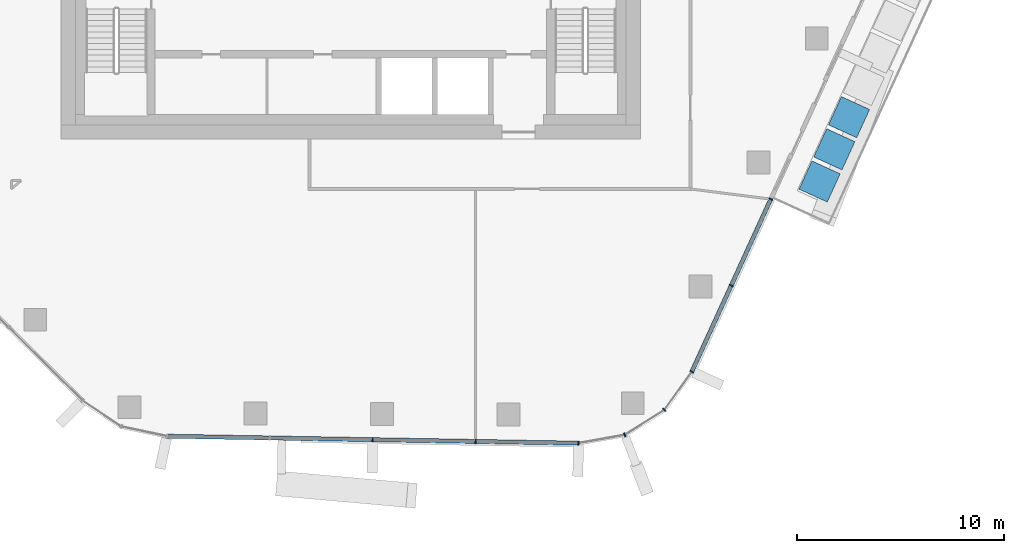
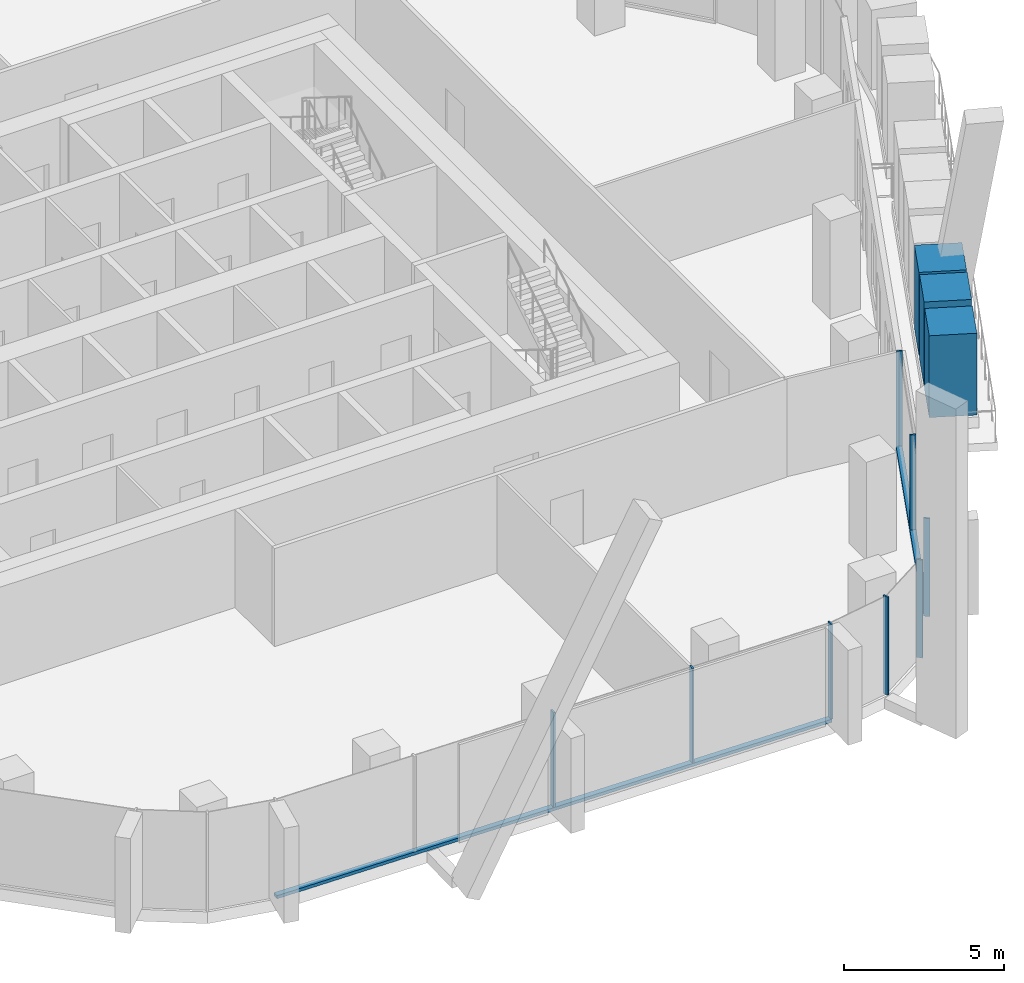
# One storey, part 3 of 20: 13 members, 3 elements without a shape of their own.
"""IFC4 building model written with IfcOpenShell, lengths in metres."""

from ifc_helpers import new_model, si_unit, direction, frame, origin, origin_2d, place, context, subcontext, project, spatial, rectangle, extrude, material, layer, layer_set, material_profile, profile_set, type_object, element, aggregate, save


model = new_model("IFC4")

# Units and contexts
model_context = context("Model", 3, precision=1e-05, world=origin(), true_north=direction((0.0, 1.0)))
body_context = subcontext(model_context, "Body", "Model", "MODEL_VIEW")
ifc_project = project(units=[si_unit("LENGTHUNIT", "METRE"), si_unit("AREAUNIT", "SQUARE_METRE"), si_unit("VOLUMEUNIT", "CUBIC_METRE"), si_unit("PLANEANGLEUNIT", "RADIAN"), si_unit("MASSUNIT", "GRAM", prefix="KILO")], contexts=[model_context])

# Site, building, storey
site_placement = place(None, origin())
site = spatial("IfcSite", under=ifc_project, at=site_placement, CompositionType="ELEMENT")
building_placement = place(site_placement, origin())
building = spatial("IfcBuilding", under=site, at=building_placement, Name="Dongbaek Canopy Tower", CompositionType="ELEMENT")
storey_placement = place(building_placement, frame((0.0, 0.0, 228.60009765625)))
storey = spatial("IfcBuildingStorey", under=building, at=storey_placement, Name="L47", CompositionType="ELEMENT", Elevation=228.60009765625)

# Curtain wall, members
ifc_material_1 = material(Name="Aluminium 6063-T6 pale anodised", Category="aluminium")
ifc_layer = layer(ifc_material_1, 0.199951171875)
ifc_layer_set = layer_set([ifc_layer], Name="CW-1 unitised tower curtain wall")
curtain_wall_type = type_object("IfcCurtainWallType", Name="CW-1 unitised tower curtain wall", PredefinedType="NOTDEFINED", material=ifc_layer_set)
curtain_wall_1_placement = place(storey_placement, origin())
curtain_wall_1 = element("IfcCurtainWall", 1, at=curtain_wall_1_placement, inside=storey, type_object=curtain_wall_type, Name="CW-1 curtain wall F4.1", PredefinedType="NOTDEFINED")
ifc_material_2 = material(Name="Aluminium 6063-T6 pale anodised", Category="aluminium")
ifc_material_profile_1 = material_profile(ifc_material_2, rectangle(XDim=0.199951171875, YDim=0.06005859375, at=origin_2d()), Name="CW-1 mullion 60 x 200")
ifc_profile_set_1 = profile_set([ifc_material_profile_1], Name="Aluminium 6063-T6 pale anodised")
member_type_1 = type_object("IfcMemberType", Name="CW-1 mullion 60 x 200", PredefinedType="MULLION", material=ifc_profile_set_1)
member_1_placement = place(storey_placement, frame((1.05126953125, -25.51123046875, 0.119873046875), z_axis=(0.0, 0.0, 1.0), x_axis=(-0.016993149743, -0.999855606006, 0.0)))
member_1 = element("IfcMember", 2, at=member_1_placement, type_object=member_type_1, Name="CW-1 mullion F4.1.3", PredefinedType="MULLION", context=body_context, shape_type="SweptSolid", body=[
    extrude(rectangle(XDim=0.199951171875, YDim=0.06005859375, at=origin_2d()), origin(), (0.0, 0.0, 1.0), 3.630126953125),
])
member_2_placement = place(storey_placement, frame((6.025634765625, -25.595703125, 0.119873046875), z_axis=(0.0, 0.0, 1.0), x_axis=(-0.016993149743, -0.999855606006, 0.0)))
member_2 = element("IfcMember", 3, at=member_2_placement, type_object=member_type_1, Name="CW-1 mullion F4.1.4", PredefinedType="MULLION", context=body_context, shape_type="SweptSolid", body=[
    extrude(rectangle(XDim=0.199951171875, YDim=0.06005859375, at=origin_2d()), origin(), (0.0, 0.0, 1.0), 3.630126953125),
])
member_3_placement = place(storey_placement, frame((10.990234375, -25.68017578125, 0.119873046875), z_axis=(0.0, 0.0, 1.0), x_axis=(-0.016993149743, -0.999855606006, 0.0)))
member_3 = element("IfcMember", 4, at=member_3_placement, type_object=member_type_1, Name="CW-1 mullion F4.1.5", PredefinedType="MULLION", context=body_context, shape_type="SweptSolid", body=[
    extrude(rectangle(XDim=0.199951171875, YDim=0.06005859375, at=origin_2d()), origin(), (0.0, 0.0, 1.0), 3.630126953125),
])

curtain_wall_2_placement = place(storey_placement, origin())
curtain_wall_2 = element("IfcCurtainWall", 5, at=curtain_wall_2_placement, inside=storey, type_object=curtain_wall_type, Name="CW-1 curtain wall K5.1", PredefinedType="NOTDEFINED")
member_4_placement = place(storey_placement, frame((13.228759765625, -25.28173828125, 0.0), z_axis=(0.0, 0.0, 1.0), x_axis=(0.360882644319, -0.93261123574, 0.0)))
member_4 = element("IfcMember", 6, at=member_4_placement, type_object=member_type_1, Name="CW-1 mullion K5.1.2", PredefinedType="MULLION", context=body_context, shape_type="SweptSolid", body=[
    extrude(rectangle(XDim=0.199951171875, YDim=0.06005859375, at=origin_2d()), origin(), (0.0, 0.0, 1.0), 3.75),
])
member_5_placement = place(storey_placement, frame((15.143798828125, -24.074951171875, 0.0), z_axis=(0.0, 0.0, 1.0), x_axis=(0.685596122753, -0.727982112737, 0.0)))
member_5 = element("IfcMember", 7, at=member_5_placement, type_object=member_type_1, Name="CW-1 mullion K5.1.3", PredefinedType="MULLION", context=body_context, shape_type="SweptSolid", body=[
    extrude(rectangle(XDim=0.199951171875, YDim=0.06005859375, at=origin_2d()), origin(), (0.0, 0.0, 1.0), 3.75),
])
member_6_placement = place(storey_placement, frame((16.46923828125, -22.227294921875, 0.0), z_axis=(0.0, 0.0, 1.0), x_axis=(0.812557400562, -0.582881180681, 0.0)))
member_6 = element("IfcMember", 8, at=member_6_placement, type_object=member_type_1, Name="CW-1 mullion K5.1.4", PredefinedType="MULLION", context=body_context, shape_type="SweptSolid", body=[
    extrude(rectangle(XDim=0.199951171875, YDim=0.06005859375, at=origin_2d()), origin(), (0.0, 0.0, 1.0), 3.75),
])
aggregate(curtain_wall_2, [member_4, member_5, member_6])

curtain_wall_3_placement = place(storey_placement, origin())
curtain_wall_3 = element("IfcCurtainWall", 9, at=curtain_wall_3_placement, inside=storey, type_object=curtain_wall_type, Name="CW-1 curtain wall F5.1", PredefinedType="NOTDEFINED")
member_7_placement = place(storey_placement, frame((18.374267578125, -18.064208984375, 0.119873046875), z_axis=(0.0, 0.0, 1.0), x_axis=(0.909313119282, -0.416112546196, 0.0)))
member_7 = element("IfcMember", 10, at=member_7_placement, type_object=member_type_1, Name="CW-1 mullion F5.1.2", PredefinedType="MULLION", context=body_context, shape_type="SweptSolid", body=[
    extrude(rectangle(XDim=0.199951171875, YDim=0.06005859375, at=origin_2d()), origin(), (0.0, 0.0, 1.0), 3.630126953125),
])
member_8_placement = place(storey_placement, frame((20.283447265625, -13.89208984375, 0.119873046875), z_axis=(0.0, 0.0, 1.0), x_axis=(0.909313119282, -0.416112546196, 0.0)))
member_8 = element("IfcMember", 11, at=member_8_placement, type_object=member_type_1, Name="CW-1 mullion F5.1.3", PredefinedType="MULLION", context=body_context, shape_type="SweptSolid", body=[
    extrude(rectangle(XDim=0.199951171875, YDim=0.06005859375, at=origin_2d()), origin(), (0.0, 0.0, 1.0), 3.630126953125),
])

# Member
ifc_material_3 = material(Name="Aluminium 6063-T6 pale anodised", Category="aluminium")
ifc_material_profile_2 = material_profile(ifc_material_3, rectangle(XDim=0.199951171875, YDim=0.1201171875, at=origin_2d()), Name="CW-1 transom 120 x 200")
ifc_profile_set_2 = profile_set([ifc_material_profile_2], Name="Aluminium 6063-T6 pale anodised")
member_type_2 = type_object("IfcMemberType", Name="CW-1 transom 120 x 200", PredefinedType="USERDEFINED", material=ifc_profile_set_2)
member_9_placement = place(storey_placement, frame((-8.8876953125, -25.34228515625, 0.059814453125), z_axis=(0.99985556053, -0.016995825298, 0.0), x_axis=(0.016995825298, 0.99985556053, 0.0)))
member_9 = element("IfcMember", 12, at=member_9_placement, type_object=member_type_2, Name="CW-1 transom F4.1.1", ObjectType="TRANSOM", PredefinedType="USERDEFINED", context=body_context, shape_type="SweptSolid", body=[
    extrude(rectangle(XDim=0.199951171875, YDim=0.1201171875, at=origin_2d()), origin(), (0.0, 0.0, 1.0), 19.880859375),
])

aggregate(curtain_wall_1, [member_1, member_2, member_3, member_9])

member_10_placement = place(storey_placement, frame((16.46923828125, -22.227294921875, 0.059814453125), z_axis=(0.41610529079, 0.909316439407, 0.0), x_axis=(-0.909316439407, 0.41610529079, 0.0)))
member_10 = element("IfcMember", 13, at=member_10_placement, type_object=member_type_2, Name="CW-1 transom F5.1.1", ObjectType="TRANSOM", PredefinedType="USERDEFINED", context=body_context, shape_type="SweptSolid", body=[
    extrude(rectangle(XDim=0.199951171875, YDim=0.1201171875, at=origin_2d()), origin(), (0.0, 0.0, 1.0), 9.16650390625),
])

aggregate(curtain_wall_3, [member_7, member_8, member_10])

# Members
ifc_material_4 = material(Name="Concrete C40/50 planter mass with planting", Category="concrete")
ifc_material_profile_3 = material_profile(ifc_material_4, rectangle(XDim=1.5, YDim=1.5, at=origin_2d()), Name="Terrace PLANTER shrub mass 1500 x 1500")
ifc_profile_set_3 = profile_set([ifc_material_profile_3], Name="Concrete C40/50 planter mass with planting")
member_type_3 = type_object("IfcMemberType", Name="Terrace PLANTER shrub mass 1500 x 1500", PredefinedType="USERDEFINED", material=ifc_profile_set_3)
member_11_placement = place(storey_placement, frame((22.641357421875, -13.04150390625, 0.419921875), z_axis=(0.0, 0.0, 1.0), x_axis=(0.909313119282, -0.416112546196, 0.0)))
element("IfcMember", 14, at=member_11_placement, inside=storey, type_object=member_type_3, Name="Planter shrubs L47 2.1", ObjectType="PLANTER", PredefinedType="USERDEFINED", context=body_context, shape_type="SweptSolid", body=[
    extrude(rectangle(XDim=1.5, YDim=1.5, at=origin_2d()), origin(), (0.0, 0.0, 1.0), 3.1298828125),
])
member_12_placement = place(storey_placement, frame((23.3525390625, -11.487060546875, 0.419921875), z_axis=(0.0, 0.0, 1.0), x_axis=(0.909313119282, -0.416112546196, 0.0)))
element("IfcMember", 15, at=member_12_placement, inside=storey, type_object=member_type_3, Name="Planter shrubs L47 2.2", ObjectType="PLANTER", PredefinedType="USERDEFINED", context=body_context, shape_type="SweptSolid", body=[
    extrude(rectangle(XDim=1.5, YDim=1.5, at=origin_2d()), origin(), (0.0, 0.0, 1.0), 3.22998046875),
])
member_13_placement = place(storey_placement, frame((24.063720703125, -9.932861328125, 0.419921875), z_axis=(0.0, 0.0, 1.0), x_axis=(0.909313119282, -0.416112546196, 0.0)))
element("IfcMember", 16, at=member_13_placement, inside=storey, type_object=member_type_3, Name="Planter shrubs L47 2.3", ObjectType="PLANTER", PredefinedType="USERDEFINED", context=body_context, shape_type="SweptSolid", body=[
    extrude(rectangle(XDim=1.5, YDim=1.5, at=origin_2d()), origin(), (0.0, 0.0, 1.0), 3.169921875),
])

save(model, "model.ifc")
